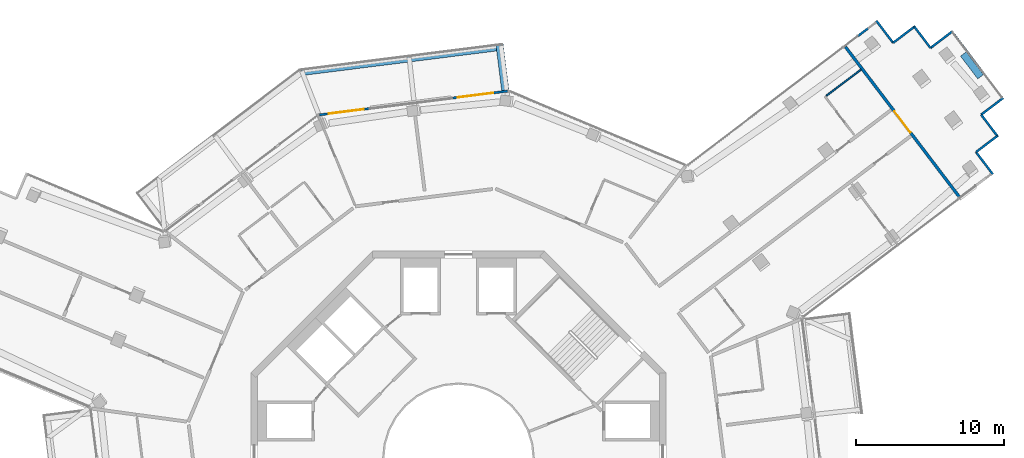
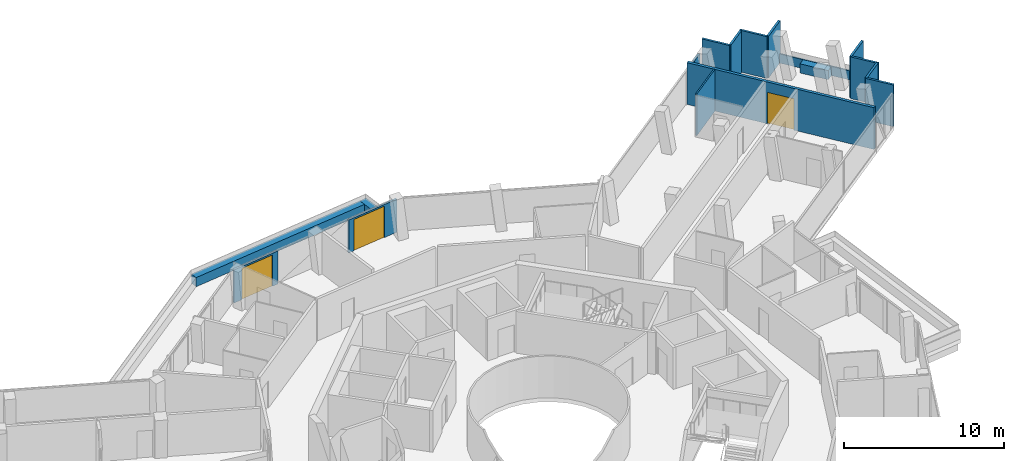
# One storey, part 23 of 26: 17 walls, 3 doors, 3 openings.
"""IFC4 building model written with IfcOpenShell, lengths in metres."""

from ifc_helpers import new_model, si_unit, direction, frame, frame_2d, origin, place, context, subcontext, project, spatial, rectangle, extrude, material, layer, layer_set, type_object, element, fill, save


model = new_model("IFC4")

# Units and contexts
model_context = context("Model", 3, precision=1e-05, world=origin(), true_north=direction((0.0, 1.0)))
body_context = subcontext(model_context, "Body", "Model", "MODEL_VIEW")
ifc_project = project(units=[si_unit("LENGTHUNIT", "METRE"), si_unit("AREAUNIT", "SQUARE_METRE"), si_unit("VOLUMEUNIT", "CUBIC_METRE"), si_unit("PLANEANGLEUNIT", "RADIAN"), si_unit("MASSUNIT", "GRAM", prefix="KILO")], contexts=[model_context])

# Site, building, storey
site_placement = place(None, origin())
site = spatial("IfcSite", under=ifc_project, at=site_placement, CompositionType="ELEMENT")
building_placement = place(site_placement, origin())
building = spatial("IfcBuilding", under=site, at=building_placement, Name="Verdalira Terraces Hotel", CompositionType="ELEMENT")
storey_placement = place(building_placement, frame((0.0, 0.0, 306.5)))
storey = spatial("IfcBuildingStorey", under=building, at=storey_placement, Name="L76", CompositionType="ELEMENT", Elevation=306.5)

# Walls
ifc_material_1 = material(Name="Concrete C40", Category="concrete")
ifc_layer_1 = layer(ifc_material_1, 0.5)
ifc_layer_set_1 = layer_set([ifc_layer_1], Name="Balcony planter trough with tree")
wall_type_1 = type_object("IfcWallType", Name="Balcony planter trough with tree", PredefinedType="SOLIDWALL", material=ifc_layer_set_1)
wall_1_placement = place(storey_placement, frame((3.160156, 24.851318, 0.0), z_axis=(0.0, 0.0, 1.0), x_axis=(-0.125312056, 0.992117376, 0.0)))
element("IfcWall", 1, at=wall_1_placement, inside=storey, type_object=wall_type_1, Name="Balcony planter", PredefinedType="SOLIDWALL", context=body_context, shape_type="SweptSolid", body=[
    extrude(rectangle(XDim=3.198975, YDim=0.5, at=frame_2d((1.599609, 0.0))), origin(), (0.0, 0.0, 1.0), 0.699951),
])
wall_2_placement = place(storey_placement, frame((2.54248, 27.74585, 0.0), z_axis=(0.0, 0.0, 1.0), x_axis=(-0.992113405, -0.125343492, 0.0)))
element("IfcWall", 2, at=wall_2_placement, inside=storey, type_object=wall_type_1, Name="Balcony planter", PredefinedType="SOLIDWALL", context=body_context, shape_type="SweptSolid", body=[
    extrude(rectangle(XDim=13.223389, YDim=0.5, at=frame_2d((6.611816, 0.0))), origin(), (0.0, 0.0, 1.0), 0.699951),
])
ifc_material_2 = material(Name="Moisture-resistant gypsum board partition")
ifc_layer_2 = layer(ifc_material_2, 0.10009765625)
ifc_layer_set_2 = layer_set([ifc_layer_2], Name="Bathroom partition 100 mm")
wall_type_2 = type_object("IfcWallType", Name="Bathroom partition 100 mm", PredefinedType="PARTITIONING", material=ifc_layer_set_2)
wall_3_placement = place(storey_placement, frame((24.804199, 24.476807, 0.0), z_axis=(0.0, 0.0, 1.0), x_axis=(0.796518892, 0.604613641, 0.0)))
element("IfcWall", 3, at=wall_3_placement, inside=storey, type_object=wall_type_2, Name="Bathroom partition", PredefinedType="PARTITIONING", context=body_context, shape_type="SweptSolid", body=[
    extrude(rectangle(XDim=2.939941, YDim=0.100098, at=frame_2d((1.469971, 0.0))), origin(), (0.0, 0.0, 1.0), 3.189941),
])

# Wall, opening, door
ifc_material_3 = material(Name="Terracotta cladding", Category="masonry")
ifc_layer_3 = layer(ifc_material_3, 0.199951171875)
ifc_layer_set_3 = layer_set([ifc_layer_3], Name="Loggia back wall 200")
wall_type_3 = type_object("IfcWallType", Name="Loggia back wall 200", PredefinedType="SOLIDWALL", material=ifc_layer_set_3)
wall_4_placement = place(storey_placement, frame((26.091064, 27.776367, 0.0), z_axis=(0.0, 0.0, 1.0), x_axis=(0.604600617, -0.796528778, 0.0)))
wall_4 = element("IfcWall", 4, at=wall_4_placement, inside=storey, type_object=wall_type_3, Name="Loggia back wall", PredefinedType="SOLIDWALL", context=body_context, shape_type="SweptSolid", body=[
    extrude(rectangle(XDim=12.699951, YDim=0.199951, at=frame_2d((6.350098, 0.0))), origin(), (0.0, 0.0, 1.0), 3.189941),
])
opening_1_placement = place(wall_4_placement, frame((5.449951, 0.0, 0.0)))
opening_1 = element("IfcOpeningElement", 5, at=opening_1_placement, cuts=wall_4, Name="Opening L76-L01", PredefinedType="OPENING", context=body_context, shape_type="SweptSolid", body=[
    extrude(rectangle(XDim=1.800049, YDim=2.399902, at=frame_2d((0.899902, 1.199951))), frame((0.0, 0.109863, 0.0), z_axis=(0.0, -1.0, 0.0), x_axis=(1.0, 0.0, 0.0)), (0.0, 0.0, 1.0), 0.219971),
])
ifc_material_4 = material(Name="Clear glass", Category="glass")
door_type_1 = type_object("IfcDoorType", Name="Garden double door 1800x2400", OperationType="NOTDEFINED", PredefinedType="DOOR", material=ifc_material_4)
door_1_placement = place(opening_1_placement, origin())
door_1 = element("IfcDoor", 6, at=door_1_placement, inside=storey, type_object=door_type_1, Name="Loggia double door", OperationType="DOUBLE_DOOR_SINGLE_SWING", OverallHeight=2.39990234375, OverallWidth=1.800048828125, PredefinedType="DOOR", context=body_context, shape_type="SweptSolid", body=[
    extrude(rectangle(XDim=1.800049, YDim=2.399902, at=frame_2d((0.899902, 1.199951))), frame((0.0, 0.024902, 0.0), z_axis=(0.0, -1.0, 0.0), x_axis=(1.0, 0.0, 0.0)), (0.0, 0.0, 1.0), 0.050049),
])
fill(opening_1, door_1)

# Walls
ifc_material_5 = material(Name="Concrete C40", Category="concrete")
ifc_layer_4 = layer(ifc_material_5, 0.5)
ifc_layer_set_4 = layer_set([ifc_layer_4], Name="Loggia planter trough with tree")
wall_type_4 = type_object("IfcWallType", Name="Loggia planter trough with tree", PredefinedType="SOLIDWALL", material=ifc_layer_set_4)
wall_5_placement = place(storey_placement, frame((35.210938, 25.767822, 0.0), z_axis=(0.0, 0.0, 1.0), x_axis=(-0.604619786, 0.796514227, 0.0)))
element("IfcWall", 7, at=wall_5_placement, inside=storey, type_object=wall_type_4, Name="Loggia planter", PredefinedType="SOLIDWALL", context=body_context, shape_type="SweptSolid", body=[
    extrude(rectangle(XDim=1.923584, YDim=0.5, at=frame_2d((0.961914, 0.0))), origin(), (0.0, 0.0, 1.0), 0.699951),
])
ifc_material_6 = material(Name="Concrete C40", Category="concrete")
ifc_layer_5 = layer(ifc_material_6, 0.10009765625)
ifc_layer_set_5 = layer_set([ifc_layer_5], Name="Loggia upstand 100")
wall_type_5 = type_object("IfcWallType", Name="Loggia upstand 100", PredefinedType="SOLIDWALL", material=ifc_layer_set_5)
wall_6_placement = place(storey_placement, frame((36.650879, 24.367188, 0.0), z_axis=(0.0, 0.0, 1.0), x_axis=(-0.604592431, 0.796534991, 0.0)))
element("IfcWall", 8, at=wall_6_placement, inside=storey, type_object=wall_type_5, Name="Loggia upstand", PredefinedType="SOLIDWALL", context=body_context, shape_type="SweptSolid", body=[
    extrude(rectangle(XDim=5.5, YDim=0.100098, at=frame_2d((2.75, 0.0))), origin(), (0.0, 0.0, 1.0), 0.699951),
])
ifc_material_7 = material(Name="Terracotta cladding", Category="masonry")
ifc_layer_6 = layer(ifc_material_7, 0.14990234375)
ifc_layer_set_6 = layer_set([ifc_layer_6], Name="Terracotta clad wall 150")
wall_type_6 = type_object("IfcWallType", Name="Terracotta clad wall 150", PredefinedType="SOLIDWALL", material=ifc_layer_set_6)
wall_7_placement = place(storey_placement, frame((36.030762, 19.188477, 0.0), z_axis=(0.0, 0.0, 1.0), x_axis=(-0.604594512, 0.796533412, 0.0)))
element("IfcWall", 9, at=wall_7_placement, inside=storey, type_object=wall_type_6, Name="Terracotta cladding wall", PredefinedType="SOLIDWALL", context=body_context, shape_type="SweptSolid", body=[
    extrude(rectangle(XDim=1.875, YDim=0.149902, at=frame_2d((0.9375, 0.0))), origin(), (0.0, 0.0, 1.0), 3.189941),
])
wall_8_placement = place(storey_placement, frame((34.897217, 20.681885, 0.0), z_axis=(0.0, 0.0, 1.0), x_axis=(0.796470511, 0.604677373, 0.0)))
element("IfcWall", 10, at=wall_8_placement, inside=storey, type_object=wall_type_6, Name="Terracotta cladding wall", PredefinedType="SOLIDWALL", context=body_context, shape_type="SweptSolid", body=[
    extrude(rectangle(XDim=1.800049, YDim=0.149902, at=frame_2d((0.899902, 0.0))), origin(), (0.0, 0.0, 1.0), 3.189941),
])
for number, where, z_axis, x_axis, name in (
    (11, (36.376221, 21.710449, 0.0), (0.0, 0.0, 1.0), (-0.604594512, 0.796533412, 0.0), "Terracotta cladding wall"),
    (12, (35.242676, 23.203857, 0.0), (0.0, 0.0, 1.0), (0.796470703, 0.60467712, 0.0), "Terracotta cladding wall"),
    (13, (33.320068, 28.837891, 0.0), (0.0, 0.0, 1.0), (-0.796533412, -0.604594512, 0.0), "Terracotta cladding wall"),
):
    element("IfcWall", number, at=place(storey_placement, frame(where, z_axis=z_axis, x_axis=x_axis)), inside=storey, type_object=wall_type_6, Name=name, PredefinedType="SOLIDWALL", context=body_context, shape_type="SweptSolid", body=[
        extrude(rectangle(XDim=1.875, YDim=0.149902, at=frame_2d((0.9375, 0.0))), origin(), (0.0, 0.0, 1.0), 3.189941),
    ])
wall_9_placement = place(storey_placement, frame((31.82666, 27.704346, 0.0), z_axis=(0.0, 0.0, 1.0), x_axis=(-0.604612054, 0.796520097, 0.0)))
element("IfcWall", 14, at=wall_9_placement, inside=storey, type_object=wall_type_6, Name="Terracotta cladding wall", PredefinedType="SOLIDWALL", context=body_context, shape_type="SweptSolid", body=[
    extrude(rectangle(XDim=1.800049, YDim=0.149902, at=frame_2d((0.899902, 0.0))), origin(), (0.0, 0.0, 1.0), 3.189941),
])
for number, where, z_axis, x_axis, name in (
    (15, (30.798096, 29.18335, 0.0), (0.0, 0.0, 1.0), (-0.796581003, -0.604531807, 0.0), "Terracotta cladding wall"),
    (16, (29.304443, 28.049805, 0.0), (0.0, 0.0, 1.0), (-0.604594512, 0.796533412, 0.0), "Terracotta cladding wall"),
):
    element("IfcWall", number, at=place(storey_placement, frame(where, z_axis=z_axis, x_axis=x_axis)), inside=storey, type_object=wall_type_6, Name=name, PredefinedType="SOLIDWALL", context=body_context, shape_type="SweptSolid", body=[
        extrude(rectangle(XDim=1.875, YDim=0.149902, at=frame_2d((0.9375, 0.0))), origin(), (0.0, 0.0, 1.0), 3.189941),
    ])
ifc_material_8 = material(Name="Terracotta cladding", Category="masonry")
ifc_layer_7 = layer(ifc_material_8, 0.14990234375)
ifc_layer_set_7 = layer_set([ifc_layer_7], Name="Terracotta column pier 150")
wall_type_7 = type_object("IfcWallType", Name="Terracotta column pier 150", PredefinedType="SOLIDWALL", material=ifc_layer_set_7)
wall_10_placement = place(storey_placement, frame((27.61499, 29.0271, 0.0), z_axis=(0.0, 0.0, 1.0), x_axis=(-0.796663106, -0.604423606, 0.0)))
element("IfcWall", 17, at=wall_10_placement, inside=storey, type_object=wall_type_7, Name="Terracotta column pier", PredefinedType="SOLIDWALL", context=body_context, shape_type="SweptSolid", body=[
    extrude(rectangle(XDim=0.863525, YDim=0.149902, at=frame_2d((0.431641, 0.0))), origin(), (0.0, 0.0, 1.0), 2.524902),
])

# Wall, opening, door
ifc_material_9 = material(Name="Terracotta cladding", Category="masonry")
ifc_layer_8 = layer(ifc_material_9, 0.14990234375)
ifc_layer_set_8 = layer_set([ifc_layer_8], Name="Terracotta door pier 150")
wall_type_8 = type_object("IfcWallType", Name="Terracotta door pier 150", PredefinedType="SOLIDWALL", material=ifc_layer_set_8)
wall_11_placement = place(storey_placement, frame((3.318359, 24.794678, 0.0), z_axis=(0.0, 0.0, 1.0), x_axis=(-0.992114352, -0.125335996, 0.0)))
wall_11 = element("IfcWall", 18, at=wall_11_placement, inside=storey, type_object=wall_type_8, Name="Terracotta door pier", PredefinedType="SOLIDWALL", context=body_context, shape_type="SweptSolid", body=[
    extrude(rectangle(XDim=3.786621, YDim=0.149902, at=frame_2d((1.893311, 0.0))), origin(), (0.0, 0.0, 1.0), 2.524902),
])
opening_2_placement = place(wall_11_placement, frame((0.986572, 0.0, 0.0)))
opening_2 = element("IfcOpeningElement", 19, at=opening_2_placement, cuts=wall_11, Name="Opening L76-B12", PredefinedType="OPENING", context=body_context, shape_type="SweptSolid", body=[
    extrude(rectangle(XDim=2.399902, YDim=2.399902, at=frame_2d((1.199951, 1.199951))), frame((0.0, 0.084961, 0.0), z_axis=(0.0, -1.0, 0.0), x_axis=(1.0, 0.0, 0.0)), (0.0, 0.0, 1.0), 0.169922),
])
ifc_material_10 = material(Name="Clear glass", Category="glass")
door_type_2 = type_object("IfcDoorType", Name="Balcony sliding door 2400x2400", OperationType="NOTDEFINED", PredefinedType="DOOR", material=ifc_material_10)
door_2_placement = place(opening_2_placement, origin())
door_2 = element("IfcDoor", 20, at=door_2_placement, inside=storey, type_object=door_type_2, Name="Balcony sliding door", OperationType="SLIDING_TO_LEFT", OverallHeight=2.39990234375, OverallWidth=2.39990234375, PredefinedType="DOOR", context=body_context, shape_type="SweptSolid", body=[
    extrude(rectangle(XDim=2.399902, YDim=2.399902, at=frame_2d((1.199951, 1.199951))), frame((0.0, 0.024902, 0.0), z_axis=(0.0, -1.0, 0.0), x_axis=(1.0, 0.0, 0.0)), (0.0, 0.0, 1.0), 0.050049),
])
fill(opening_2, door_2)

wall_12_placement = place(storey_placement, frame((-5.980469, 23.620117, 0.0), z_axis=(0.0, 0.0, 1.0), x_axis=(-0.992108171, -0.125384919, 0.0)))
wall_12 = element("IfcWall", 21, at=wall_12_placement, inside=storey, type_object=wall_type_8, Name="Terracotta door pier", PredefinedType="SOLIDWALL", context=body_context, shape_type="SweptSolid", body=[
    extrude(rectangle(XDim=3.427002, YDim=0.149902, at=frame_2d((1.713379, 0.0))), origin(), (0.0, 0.0, 1.0), 2.524902),
])
opening_3_placement = place(wall_12_placement, frame((0.399902, 0.0, 0.0)))
opening_3 = element("IfcOpeningElement", 22, at=opening_3_placement, cuts=wall_12, Name="Opening L76-B13", PredefinedType="OPENING", context=body_context, shape_type="SweptSolid", body=[
    extrude(rectangle(XDim=2.399902, YDim=2.399902, at=frame_2d((1.199951, 1.199951))), frame((0.0, 0.084961, 0.0), z_axis=(0.0, -1.0, 0.0), x_axis=(1.0, 0.0, 0.0)), (0.0, 0.0, 1.0), 0.169922),
])
door_3_placement = place(opening_3_placement, origin())
door_3 = element("IfcDoor", 23, at=door_3_placement, inside=storey, type_object=door_type_2, Name="Balcony sliding door", OperationType="SLIDING_TO_RIGHT", OverallHeight=2.39990234375, OverallWidth=2.39990234375, PredefinedType="DOOR", context=body_context, shape_type="SweptSolid", body=[
    extrude(rectangle(XDim=2.399902, YDim=2.399902, at=frame_2d((1.199951, 1.199951))), frame((0.0, 0.024902, 0.0), z_axis=(0.0, -1.0, 0.0), x_axis=(1.0, 0.0, 0.0)), (0.0, 0.0, 1.0), 0.050049),
])
fill(opening_3, door_3)

save(model, "model.ifc")
